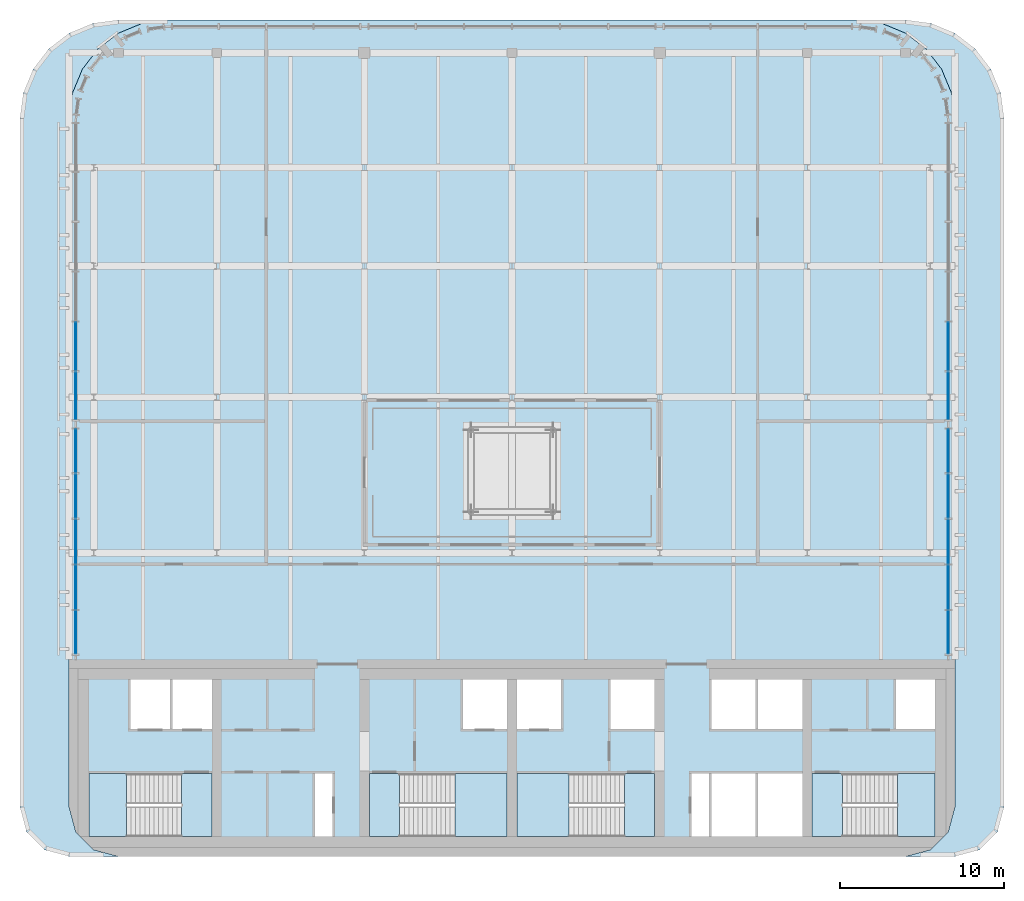
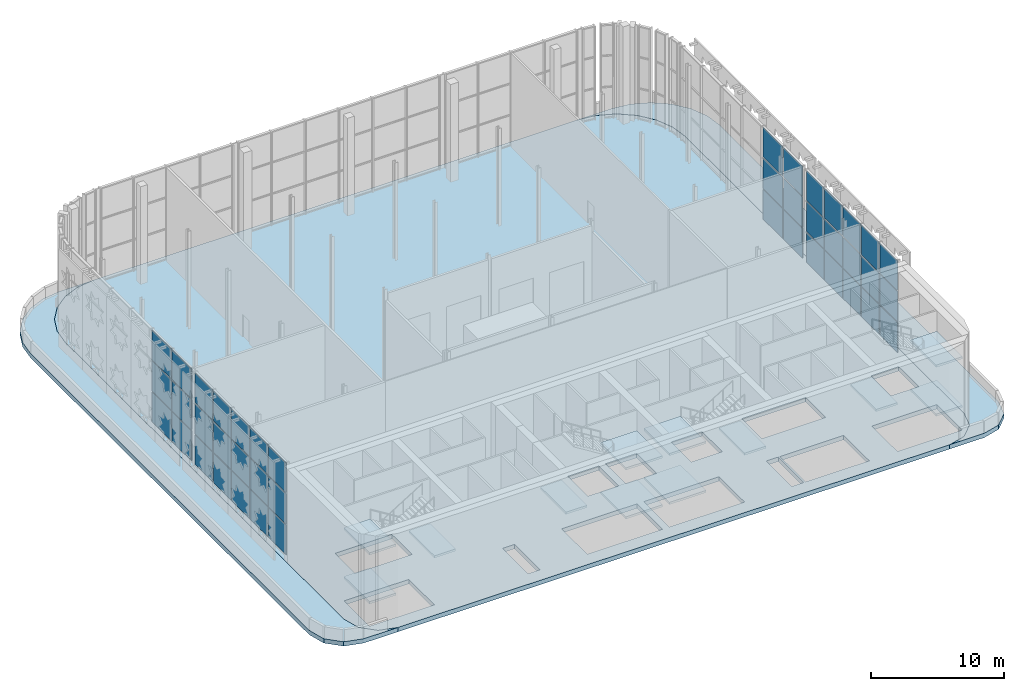
# One storey, part 15 of 26: 42 plates, 15 slabs, 8 elements without a shape of their own.
"""IFC4 building model written with IfcOpenShell, lengths in metres."""

from ifc_helpers import new_model, si_unit, direction, frame, origin, origin_2d, place, context, subcontext, project, spatial, polyline, rectangle, outline, extrude, material, layer, layer_set, type_object, element, aggregate, save


model = new_model("IFC4")

# Units and contexts
model_context = context("Model", 3, precision=1e-05, world=origin(), true_north=direction((0.0, 1.0)))
body_context = subcontext(model_context, "Body", "Model", "MODEL_VIEW")
ifc_project = project(units=[si_unit("LENGTHUNIT", "METRE"), si_unit("AREAUNIT", "SQUARE_METRE"), si_unit("VOLUMEUNIT", "CUBIC_METRE"), si_unit("PLANEANGLEUNIT", "RADIAN"), si_unit("MASSUNIT", "GRAM", prefix="KILO")], contexts=[model_context])

# Site, building, storey
site_placement = place(None, origin())
site = spatial("IfcSite", under=ifc_project, at=site_placement, CompositionType="ELEMENT")
building_placement = place(site_placement, origin())
building = spatial("IfcBuilding", under=site, at=building_placement, Name="Zellij Exchange Tower", CompositionType="ELEMENT")
storey_placement = place(building_placement, frame((0.0, 0.0, 296.5)))
storey = spatial("IfcBuildingStorey", under=building, at=storey_placement, Name="L70", CompositionType="ELEMENT", Elevation=296.5)

# Stair, slabs
ifc_material_1 = material(Name="Concrete C40/50", Category="concrete")
stair_type = type_object("IfcStairType", Name="CORE-ST exit stair 1850 wide", PredefinedType="HALF_TURN_STAIR", material=ifc_material_1)
stair_1_placement = place(storey_placement, origin())
stair_1 = element("IfcStair", 1, at=stair_1_placement, inside=storey, type_object=stair_type, Name="L70 exit stair ST1", PredefinedType="HALF_TURN_STAIR")
ifc_layer_1 = layer(ifc_material_1, 0.199951171875)
ifc_layer_set_1 = layer_set([ifc_layer_1], Name="Concrete C40/50")
slab_type_1 = type_object("IfcSlabType", Name="CORE-SL stair landing 200", PredefinedType="LANDING", material=ifc_layer_set_1)
slab_1_placement = place(storey_placement, frame((0.0, 0.0, 2.050048828125)))
slab_1 = element("IfcSlab", 2, at=slab_1_placement, type_object=slab_type_1, Name="ST1 landing 1", PredefinedType="LANDING", context=body_context, shape_type="SweptSolid", body=[
    extrude(outline(polyline([(-23.510009765625, -8.949951171875), (-25.800048828125, -8.949951171875), (-25.800048828125, -12.800048828125), (-23.510009765625, -12.800048828125), (-23.510009765625, -8.949951171875)])), origin(), (0.0, 0.0, 1.0), 0.199951171875),
])
slab_2_placement = place(storey_placement, frame((0.0, 0.0, 4.300048828125)))
slab_2 = element("IfcSlab", 3, at=slab_2_placement, type_object=slab_type_1, Name="ST1 landing 2", PredefinedType="LANDING", context=body_context, shape_type="SweptSolid", body=[
    extrude(outline(polyline([(-18.300048828125, -8.949951171875), (-20.14990234375, -8.949951171875), (-20.14990234375, -12.800048828125), (-18.300048828125, -12.800048828125), (-18.300048828125, -8.949951171875)])), origin(), (0.0, 0.0, 1.0), 0.199951171875),
])
slab_3_placement = place(storey_placement, frame((0.0, 0.0, 6.550048828125)))
slab_3 = element("IfcSlab", 4, at=slab_3_placement, type_object=slab_type_1, Name="ST1 landing 3", PredefinedType="LANDING", context=body_context, shape_type="SweptSolid", body=[
    extrude(outline(polyline([(-23.510009765625, -8.949951171875), (-25.800048828125, -8.949951171875), (-25.800048828125, -12.800048828125), (-23.510009765625, -12.800048828125), (-23.510009765625, -8.949951171875)])), origin(), (0.0, 0.0, 1.0), 0.199951171875),
])
aggregate(stair_1, [slab_1, slab_2, slab_3])

stair_2_placement = place(storey_placement, origin())
stair_2 = element("IfcStair", 5, at=stair_2_placement, inside=storey, type_object=stair_type, Name="L70 exit stair ST2", PredefinedType="HALF_TURN_STAIR")
slab_4_placement = place(storey_placement, frame((0.0, 0.0, 2.050048828125)))
slab_4 = element("IfcSlab", 6, at=slab_4_placement, type_object=slab_type_1, Name="ST2 landing 1", PredefinedType="LANDING", context=body_context, shape_type="SweptSolid", body=[
    extrude(outline(polyline([(-3.489990234375, -12.800048828125), (-0.300048828125, -12.800048828125), (-0.300048828125, -8.949951171875), (-3.489990234375, -8.949951171875), (-3.489990234375, -12.800048828125)])), origin(), (0.0, 0.0, 1.0), 0.199951171875),
])
slab_5_placement = place(storey_placement, frame((0.0, 0.0, 4.300048828125)))
slab_5 = element("IfcSlab", 7, at=slab_5_placement, type_object=slab_type_1, Name="ST2 landing 2", PredefinedType="LANDING", context=body_context, shape_type="SweptSolid", body=[
    extrude(outline(polyline([(-8.699951171875, -12.800048828125), (-6.85009765625, -12.800048828125), (-6.85009765625, -8.949951171875), (-8.699951171875, -8.949951171875), (-8.699951171875, -12.800048828125)])), origin(), (0.0, 0.0, 1.0), 0.199951171875),
])
slab_6_placement = place(storey_placement, frame((0.0, 0.0, 6.550048828125)))
slab_6 = element("IfcSlab", 8, at=slab_6_placement, type_object=slab_type_1, Name="ST2 landing 3", PredefinedType="LANDING", context=body_context, shape_type="SweptSolid", body=[
    extrude(outline(polyline([(-3.489990234375, -12.800048828125), (-0.300048828125, -12.800048828125), (-0.300048828125, -8.949951171875), (-3.489990234375, -8.949951171875), (-3.489990234375, -12.800048828125)])), origin(), (0.0, 0.0, 1.0), 0.199951171875),
])
aggregate(stair_2, [slab_4, slab_5, slab_6])

stair_3_placement = place(storey_placement, origin())
stair_3 = element("IfcStair", 9, at=stair_3_placement, inside=storey, type_object=stair_type, Name="L70 exit stair ST3", PredefinedType="HALF_TURN_STAIR")
slab_7_placement = place(storey_placement, frame((0.0, 0.0, 2.050048828125)))
slab_7 = element("IfcSlab", 10, at=slab_7_placement, type_object=slab_type_1, Name="ST3 landing 1", PredefinedType="LANDING", context=body_context, shape_type="SweptSolid", body=[
    extrude(outline(polyline([(3.489990234375, -8.949951171875), (0.300048828125, -8.949951171875), (0.300048828125, -12.800048828125), (3.489990234375, -12.800048828125), (3.489990234375, -8.949951171875)])), origin(), (0.0, 0.0, 1.0), 0.199951171875),
])
slab_8_placement = place(storey_placement, frame((0.0, 0.0, 4.300048828125)))
slab_8 = element("IfcSlab", 11, at=slab_8_placement, type_object=slab_type_1, Name="ST3 landing 2", PredefinedType="LANDING", context=body_context, shape_type="SweptSolid", body=[
    extrude(outline(polyline([(8.699951171875, -8.949951171875), (6.85009765625, -8.949951171875), (6.85009765625, -12.800048828125), (8.699951171875, -12.800048828125), (8.699951171875, -8.949951171875)])), origin(), (0.0, 0.0, 1.0), 0.199951171875),
])
slab_9_placement = place(storey_placement, frame((0.0, 0.0, 6.550048828125)))
slab_9 = element("IfcSlab", 12, at=slab_9_placement, type_object=slab_type_1, Name="ST3 landing 3", PredefinedType="LANDING", context=body_context, shape_type="SweptSolid", body=[
    extrude(outline(polyline([(3.489990234375, -8.949951171875), (0.300048828125, -8.949951171875), (0.300048828125, -12.800048828125), (3.489990234375, -12.800048828125), (3.489990234375, -8.949951171875)])), origin(), (0.0, 0.0, 1.0), 0.199951171875),
])
aggregate(stair_3, [slab_7, slab_8, slab_9])

stair_4_placement = place(storey_placement, origin())
stair_4 = element("IfcStair", 13, at=stair_4_placement, inside=storey, type_object=stair_type, Name="L70 exit stair ST4", PredefinedType="HALF_TURN_STAIR")
slab_10_placement = place(storey_placement, frame((0.0, 0.0, 2.050048828125)))
slab_10 = element("IfcSlab", 14, at=slab_10_placement, type_object=slab_type_1, Name="ST4 landing 1", PredefinedType="LANDING", context=body_context, shape_type="SweptSolid", body=[
    extrude(outline(polyline([(23.510009765625, -12.800048828125), (25.800048828125, -12.800048828125), (25.800048828125, -8.949951171875), (23.510009765625, -8.949951171875), (23.510009765625, -12.800048828125)])), origin(), (0.0, 0.0, 1.0), 0.199951171875),
])
slab_11_placement = place(storey_placement, frame((0.0, 0.0, 4.300048828125)))
slab_11 = element("IfcSlab", 15, at=slab_11_placement, type_object=slab_type_1, Name="ST4 landing 2", PredefinedType="LANDING", context=body_context, shape_type="SweptSolid", body=[
    extrude(outline(polyline([(18.300048828125, -12.800048828125), (20.14990234375, -12.800048828125), (20.14990234375, -8.949951171875), (18.300048828125, -8.949951171875), (18.300048828125, -12.800048828125)])), origin(), (0.0, 0.0, 1.0), 0.199951171875),
])
slab_12_placement = place(storey_placement, frame((0.0, 0.0, 6.550048828125)))
slab_12 = element("IfcSlab", 16, at=slab_12_placement, type_object=slab_type_1, Name="ST4 landing 3", PredefinedType="LANDING", context=body_context, shape_type="SweptSolid", body=[
    extrude(outline(polyline([(23.510009765625, -12.800048828125), (25.800048828125, -12.800048828125), (25.800048828125, -8.949951171875), (23.510009765625, -8.949951171875), (23.510009765625, -12.800048828125)])), origin(), (0.0, 0.0, 1.0), 0.199951171875),
])
aggregate(stair_4, [slab_10, slab_11, slab_12])

# Curtain wall, plates
ifc_material_2 = material(Name="Bronze anodised aluminium frame, bronze laminated glass", Category="aluminium")
curtain_wall_type = type_object("IfcCurtainWallType", Name="ENV-CW5 Damper-gallery glazing", PredefinedType="NOTDEFINED", material=ifc_material_2)
curtain_wall_1_placement = place(storey_placement, origin())
curtain_wall_1 = element("IfcCurtainWall", 17, at=curtain_wall_1_placement, inside=storey, type_object=curtain_wall_type, Name="cw.L70.04a", PredefinedType="NOTDEFINED")
ifc_material_3 = material(Name="Laminated glass, bronze tint", Category="glass")
ifc_layer_2 = layer(ifc_material_3, 0.052001953125)
ifc_layer_set_2 = layer_set([ifc_layer_2], Name="Laminated glass, bronze tint")
plate_type = type_object("IfcPlateType", Name="ENV-CW5P Glazed panel 52", PredefinedType="CURTAIN_PANEL", material=ifc_layer_set_2)
plate_1_placement = place(storey_placement, frame((26.60009765625, -0.335693359375, 0.099853515625), z_axis=(0.0, 0.0, 1.0), x_axis=(0.0, 1.0, 0.0)))
plate_1 = element("IfcPlate", 18, at=plate_1_placement, type_object=plate_type, Name="CW5 panel 1.1", PredefinedType="CURTAIN_PANEL", context=body_context, shape_type="SweptSolid", body=[
    extrude(rectangle(XDim=2.62841796875, YDim=0.052001953125, at=origin_2d()), origin(), (0.0, 0.0, 1.0), 2.7333984375),
])
plate_2_placement = place(storey_placement, frame((26.60009765625, -0.335693359375, 2.93310546875), z_axis=(0.0, 0.0, 1.0), x_axis=(0.0, 1.0, 0.0)))
plate_2 = element("IfcPlate", 19, at=plate_2_placement, type_object=plate_type, Name="CW5 panel 1.2", PredefinedType="CURTAIN_PANEL", context=body_context, shape_type="SweptSolid", body=[
    extrude(rectangle(XDim=2.62841796875, YDim=0.052001953125, at=origin_2d()), origin(), (0.0, 0.0, 1.0), 2.783447265625),
])
plate_3_placement = place(storey_placement, frame((26.60009765625, -0.335693359375, 5.816650390625), z_axis=(0.0, 0.0, 1.0), x_axis=(0.0, 1.0, 0.0)))
plate_3 = element("IfcPlate", 20, at=plate_3_placement, type_object=plate_type, Name="CW5 panel 1.3", PredefinedType="CURTAIN_PANEL", context=body_context, shape_type="SweptSolid", body=[
    extrude(rectangle(XDim=2.62841796875, YDim=0.052001953125, at=origin_2d()), origin(), (0.0, 0.0, 1.0), 2.7333984375),
])
plate_4_placement = place(storey_placement, frame((26.60009765625, 2.417724609375, 0.099853515625), z_axis=(0.0, 0.0, 1.0), x_axis=(0.0, 1.0, 0.0)))
plate_4 = element("IfcPlate", 21, at=plate_4_placement, type_object=plate_type, Name="CW5 panel 2.1", PredefinedType="CURTAIN_PANEL", context=body_context, shape_type="SweptSolid", body=[
    extrude(rectangle(XDim=2.678466796875, YDim=0.052001953125, at=origin_2d()), origin(), (0.0, 0.0, 1.0), 2.7333984375),
])
plate_5_placement = place(storey_placement, frame((26.60009765625, 2.417724609375, 2.93310546875), z_axis=(0.0, 0.0, 1.0), x_axis=(0.0, 1.0, 0.0)))
plate_5 = element("IfcPlate", 22, at=plate_5_placement, type_object=plate_type, Name="CW5 panel 2.2", PredefinedType="CURTAIN_PANEL", context=body_context, shape_type="SweptSolid", body=[
    extrude(rectangle(XDim=2.678466796875, YDim=0.052001953125, at=origin_2d()), origin(), (0.0, 0.0, 1.0), 2.783447265625),
])
plate_6_placement = place(storey_placement, frame((26.60009765625, 2.417724609375, 5.816650390625), z_axis=(0.0, 0.0, 1.0), x_axis=(0.0, 1.0, 0.0)))
plate_6 = element("IfcPlate", 23, at=plate_6_placement, type_object=plate_type, Name="CW5 panel 2.3", PredefinedType="CURTAIN_PANEL", context=body_context, shape_type="SweptSolid", body=[
    extrude(rectangle(XDim=2.678466796875, YDim=0.052001953125, at=origin_2d()), origin(), (0.0, 0.0, 1.0), 2.7333984375),
])
plate_7_placement = place(storey_placement, frame((26.60009765625, 5.196044921875, 0.099853515625), z_axis=(0.0, 0.0, 1.0), x_axis=(0.0, 1.0, 0.0)))
plate_7 = element("IfcPlate", 24, at=plate_7_placement, type_object=plate_type, Name="CW5 panel 3.1", PredefinedType="CURTAIN_PANEL", context=body_context, shape_type="SweptSolid", body=[
    extrude(rectangle(XDim=2.678466796875, YDim=0.052001953125, at=origin_2d()), origin(), (0.0, 0.0, 1.0), 2.7333984375),
])
plate_8_placement = place(storey_placement, frame((26.60009765625, 5.196044921875, 2.93310546875), z_axis=(0.0, 0.0, 1.0), x_axis=(0.0, 1.0, 0.0)))
plate_8 = element("IfcPlate", 25, at=plate_8_placement, type_object=plate_type, Name="CW5 panel 3.2", PredefinedType="CURTAIN_PANEL", context=body_context, shape_type="SweptSolid", body=[
    extrude(rectangle(XDim=2.678466796875, YDim=0.052001953125, at=origin_2d()), origin(), (0.0, 0.0, 1.0), 2.783447265625),
])
plate_9_placement = place(storey_placement, frame((26.60009765625, 5.196044921875, 5.816650390625), z_axis=(0.0, 0.0, 1.0), x_axis=(0.0, 1.0, 0.0)))
plate_9 = element("IfcPlate", 26, at=plate_9_placement, type_object=plate_type, Name="CW5 panel 3.3", PredefinedType="CURTAIN_PANEL", context=body_context, shape_type="SweptSolid", body=[
    extrude(rectangle(XDim=2.678466796875, YDim=0.052001953125, at=origin_2d()), origin(), (0.0, 0.0, 1.0), 2.7333984375),
])
plate_10_placement = place(storey_placement, frame((26.60009765625, 7.974609375, 0.099853515625), z_axis=(0.0, 0.0, 1.0), x_axis=(0.0, 1.0, 0.0)))
plate_10 = element("IfcPlate", 27, at=plate_10_placement, type_object=plate_type, Name="CW5 panel 4.1", PredefinedType="CURTAIN_PANEL", context=body_context, shape_type="SweptSolid", body=[
    extrude(rectangle(XDim=2.678466796875, YDim=0.052001953125, at=origin_2d()), origin(), (0.0, 0.0, 1.0), 2.7333984375),
])
plate_11_placement = place(storey_placement, frame((26.60009765625, 7.974609375, 2.93310546875), z_axis=(0.0, 0.0, 1.0), x_axis=(0.0, 1.0, 0.0)))
plate_11 = element("IfcPlate", 28, at=plate_11_placement, type_object=plate_type, Name="CW5 panel 4.2", PredefinedType="CURTAIN_PANEL", context=body_context, shape_type="SweptSolid", body=[
    extrude(rectangle(XDim=2.678466796875, YDim=0.052001953125, at=origin_2d()), origin(), (0.0, 0.0, 1.0), 2.783447265625),
])
plate_12_placement = place(storey_placement, frame((26.60009765625, 7.974609375, 5.816650390625), z_axis=(0.0, 0.0, 1.0), x_axis=(0.0, 1.0, 0.0)))
plate_12 = element("IfcPlate", 29, at=plate_12_placement, type_object=plate_type, Name="CW5 panel 4.3", PredefinedType="CURTAIN_PANEL", context=body_context, shape_type="SweptSolid", body=[
    extrude(rectangle(XDim=2.678466796875, YDim=0.052001953125, at=origin_2d()), origin(), (0.0, 0.0, 1.0), 2.7333984375),
])
plate_13_placement = place(storey_placement, frame((26.60009765625, 10.72802734375, 0.099853515625), z_axis=(0.0, 0.0, 1.0), x_axis=(0.0, 1.0, 0.0)))
plate_13 = element("IfcPlate", 30, at=plate_13_placement, type_object=plate_type, Name="CW5 panel 5.1", PredefinedType="CURTAIN_PANEL", context=body_context, shape_type="SweptSolid", body=[
    extrude(rectangle(XDim=2.62841796875, YDim=0.052001953125, at=origin_2d()), origin(), (0.0, 0.0, 1.0), 2.7333984375),
])
plate_14_placement = place(storey_placement, frame((26.60009765625, 10.72802734375, 2.93310546875), z_axis=(0.0, 0.0, 1.0), x_axis=(0.0, 1.0, 0.0)))
plate_14 = element("IfcPlate", 31, at=plate_14_placement, type_object=plate_type, Name="CW5 panel 5.2", PredefinedType="CURTAIN_PANEL", context=body_context, shape_type="SweptSolid", body=[
    extrude(rectangle(XDim=2.62841796875, YDim=0.052001953125, at=origin_2d()), origin(), (0.0, 0.0, 1.0), 2.783447265625),
])
plate_15_placement = place(storey_placement, frame((26.60009765625, 10.72802734375, 5.816650390625), z_axis=(0.0, 0.0, 1.0), x_axis=(0.0, 1.0, 0.0)))
plate_15 = element("IfcPlate", 32, at=plate_15_placement, type_object=plate_type, Name="CW5 panel 5.3", PredefinedType="CURTAIN_PANEL", context=body_context, shape_type="SweptSolid", body=[
    extrude(rectangle(XDim=2.62841796875, YDim=0.052001953125, at=origin_2d()), origin(), (0.0, 0.0, 1.0), 2.7333984375),
])
aggregate(curtain_wall_1, [plate_1, plate_2, plate_3, plate_4, plate_5, plate_6, plate_7, plate_8, plate_9, plate_10, plate_11, plate_12, plate_13, plate_14, plate_15])

curtain_wall_2_placement = place(storey_placement, origin())
curtain_wall_2 = element("IfcCurtainWall", 33, at=curtain_wall_2_placement, inside=storey, type_object=curtain_wall_type, Name="cw.L70.04b", PredefinedType="NOTDEFINED")
plate_16_placement = place(storey_placement, frame((26.60009765625, 14.08642578125, 0.099853515625), z_axis=(0.0, 0.0, 1.0), x_axis=(0.0, 1.0, 0.0)))
plate_16 = element("IfcPlate", 34, at=plate_16_placement, type_object=plate_type, Name="CW5 panel 1.1", PredefinedType="CURTAIN_PANEL", context=body_context, shape_type="SweptSolid", body=[
    extrude(rectangle(XDim=2.888671875, YDim=0.052001953125, at=origin_2d()), origin(), (0.0, 0.0, 1.0), 2.7333984375),
])
plate_17_placement = place(storey_placement, frame((26.60009765625, 14.08642578125, 2.93310546875), z_axis=(0.0, 0.0, 1.0), x_axis=(0.0, 1.0, 0.0)))
plate_17 = element("IfcPlate", 35, at=plate_17_placement, type_object=plate_type, Name="CW5 panel 1.2", PredefinedType="CURTAIN_PANEL", context=body_context, shape_type="SweptSolid", body=[
    extrude(rectangle(XDim=2.888671875, YDim=0.052001953125, at=origin_2d()), origin(), (0.0, 0.0, 1.0), 2.783447265625),
])
plate_18_placement = place(storey_placement, frame((26.60009765625, 14.08642578125, 5.816650390625), z_axis=(0.0, 0.0, 1.0), x_axis=(0.0, 1.0, 0.0)))
plate_18 = element("IfcPlate", 36, at=plate_18_placement, type_object=plate_type, Name="CW5 panel 1.3", PredefinedType="CURTAIN_PANEL", context=body_context, shape_type="SweptSolid", body=[
    extrude(rectangle(XDim=2.888671875, YDim=0.052001953125, at=origin_2d()), origin(), (0.0, 0.0, 1.0), 2.7333984375),
])
plate_19_placement = place(storey_placement, frame((26.60009765625, 17.10009765625, 0.099853515625), z_axis=(0.0, 0.0, 1.0), x_axis=(0.0, 1.0, 0.0)))
plate_19 = element("IfcPlate", 37, at=plate_19_placement, type_object=plate_type, Name="CW5 panel 2.1", PredefinedType="CURTAIN_PANEL", context=body_context, shape_type="SweptSolid", body=[
    extrude(rectangle(XDim=2.938720703125, YDim=0.052001953125, at=origin_2d()), origin(), (0.0, 0.0, 1.0), 2.7333984375),
])
plate_20_placement = place(storey_placement, frame((26.60009765625, 17.10009765625, 2.93310546875), z_axis=(0.0, 0.0, 1.0), x_axis=(0.0, 1.0, 0.0)))
plate_20 = element("IfcPlate", 38, at=plate_20_placement, type_object=plate_type, Name="CW5 panel 2.2", PredefinedType="CURTAIN_PANEL", context=body_context, shape_type="SweptSolid", body=[
    extrude(rectangle(XDim=2.938720703125, YDim=0.052001953125, at=origin_2d()), origin(), (0.0, 0.0, 1.0), 2.783447265625),
])
plate_21_placement = place(storey_placement, frame((26.60009765625, 17.10009765625, 5.816650390625), z_axis=(0.0, 0.0, 1.0), x_axis=(0.0, 1.0, 0.0)))
plate_21 = element("IfcPlate", 39, at=plate_21_placement, type_object=plate_type, Name="CW5 panel 2.3", PredefinedType="CURTAIN_PANEL", context=body_context, shape_type="SweptSolid", body=[
    extrude(rectangle(XDim=2.938720703125, YDim=0.052001953125, at=origin_2d()), origin(), (0.0, 0.0, 1.0), 2.7333984375),
])
aggregate(curtain_wall_2, [plate_16, plate_17, plate_18, plate_19, plate_20, plate_21])

curtain_wall_3_placement = place(storey_placement, origin())
curtain_wall_3 = element("IfcCurtainWall", 40, at=curtain_wall_3_placement, inside=storey, type_object=curtain_wall_type, Name="cw.L70.18a", PredefinedType="NOTDEFINED")
plate_22_placement = place(storey_placement, frame((-26.60009765625, 17.10009765625, 0.099853515625), z_axis=(0.0, 0.0, 1.0), x_axis=(0.0, -1.0, 0.0)))
plate_22 = element("IfcPlate", 41, at=plate_22_placement, type_object=plate_type, Name="CW5 panel 5.1", PredefinedType="CURTAIN_PANEL", context=body_context, shape_type="SweptSolid", body=[
    extrude(rectangle(XDim=2.938720703125, YDim=0.052001953125, at=origin_2d()), origin(), (0.0, 0.0, 1.0), 2.7333984375),
])
plate_23_placement = place(storey_placement, frame((-26.60009765625, 17.10009765625, 2.93310546875), z_axis=(0.0, 0.0, 1.0), x_axis=(0.0, -1.0, 0.0)))
plate_23 = element("IfcPlate", 42, at=plate_23_placement, type_object=plate_type, Name="CW5 panel 5.2", PredefinedType="CURTAIN_PANEL", context=body_context, shape_type="SweptSolid", body=[
    extrude(rectangle(XDim=2.938720703125, YDim=0.052001953125, at=origin_2d()), origin(), (0.0, 0.0, 1.0), 2.783447265625),
])
plate_24_placement = place(storey_placement, frame((-26.60009765625, 17.10009765625, 5.816650390625), z_axis=(0.0, 0.0, 1.0), x_axis=(0.0, -1.0, 0.0)))
plate_24 = element("IfcPlate", 43, at=plate_24_placement, type_object=plate_type, Name="CW5 panel 5.3", PredefinedType="CURTAIN_PANEL", context=body_context, shape_type="SweptSolid", body=[
    extrude(rectangle(XDim=2.938720703125, YDim=0.052001953125, at=origin_2d()), origin(), (0.0, 0.0, 1.0), 2.7333984375),
])
plate_25_placement = place(storey_placement, frame((-26.60009765625, 14.08642578125, 0.099853515625), z_axis=(0.0, 0.0, 1.0), x_axis=(0.0, -1.0, 0.0)))
plate_25 = element("IfcPlate", 44, at=plate_25_placement, type_object=plate_type, Name="CW5 panel 6.1", PredefinedType="CURTAIN_PANEL", context=body_context, shape_type="SweptSolid", body=[
    extrude(rectangle(XDim=2.888671875, YDim=0.052001953125, at=origin_2d()), origin(), (0.0, 0.0, 1.0), 2.7333984375),
])
plate_26_placement = place(storey_placement, frame((-26.60009765625, 14.08642578125, 2.93310546875), z_axis=(0.0, 0.0, 1.0), x_axis=(0.0, -1.0, 0.0)))
plate_26 = element("IfcPlate", 45, at=plate_26_placement, type_object=plate_type, Name="CW5 panel 6.2", PredefinedType="CURTAIN_PANEL", context=body_context, shape_type="SweptSolid", body=[
    extrude(rectangle(XDim=2.888671875, YDim=0.052001953125, at=origin_2d()), origin(), (0.0, 0.0, 1.0), 2.783447265625),
])
plate_27_placement = place(storey_placement, frame((-26.60009765625, 14.08642578125, 5.816650390625), z_axis=(0.0, 0.0, 1.0), x_axis=(0.0, -1.0, 0.0)))
plate_27 = element("IfcPlate", 46, at=plate_27_placement, type_object=plate_type, Name="CW5 panel 6.3", PredefinedType="CURTAIN_PANEL", context=body_context, shape_type="SweptSolid", body=[
    extrude(rectangle(XDim=2.888671875, YDim=0.052001953125, at=origin_2d()), origin(), (0.0, 0.0, 1.0), 2.7333984375),
])
aggregate(curtain_wall_3, [plate_22, plate_23, plate_24, plate_25, plate_26, plate_27])

curtain_wall_4_placement = place(storey_placement, origin())
curtain_wall_4 = element("IfcCurtainWall", 47, at=curtain_wall_4_placement, inside=storey, type_object=curtain_wall_type, Name="cw.L70.18b", PredefinedType="NOTDEFINED")
plate_28_placement = place(storey_placement, frame((-26.60009765625, 10.72802734375, 0.099853515625), z_axis=(0.0, 0.0, 1.0), x_axis=(0.0, -1.0, 0.0)))
plate_28 = element("IfcPlate", 48, at=plate_28_placement, type_object=plate_type, Name="CW5 panel 1.1", PredefinedType="CURTAIN_PANEL", context=body_context, shape_type="SweptSolid", body=[
    extrude(rectangle(XDim=2.62841796875, YDim=0.052001953125, at=origin_2d()), origin(), (0.0, 0.0, 1.0), 2.7333984375),
])
plate_29_placement = place(storey_placement, frame((-26.60009765625, 10.72802734375, 2.93310546875), z_axis=(0.0, 0.0, 1.0), x_axis=(0.0, -1.0, 0.0)))
plate_29 = element("IfcPlate", 49, at=plate_29_placement, type_object=plate_type, Name="CW5 panel 1.2", PredefinedType="CURTAIN_PANEL", context=body_context, shape_type="SweptSolid", body=[
    extrude(rectangle(XDim=2.62841796875, YDim=0.052001953125, at=origin_2d()), origin(), (0.0, 0.0, 1.0), 2.783447265625),
])
plate_30_placement = place(storey_placement, frame((-26.60009765625, 10.72802734375, 5.816650390625), z_axis=(0.0, 0.0, 1.0), x_axis=(0.0, -1.0, 0.0)))
plate_30 = element("IfcPlate", 50, at=plate_30_placement, type_object=plate_type, Name="CW5 panel 1.3", PredefinedType="CURTAIN_PANEL", context=body_context, shape_type="SweptSolid", body=[
    extrude(rectangle(XDim=2.62841796875, YDim=0.052001953125, at=origin_2d()), origin(), (0.0, 0.0, 1.0), 2.7333984375),
])
plate_31_placement = place(storey_placement, frame((-26.60009765625, 7.974609375, 0.099853515625), z_axis=(0.0, 0.0, 1.0), x_axis=(0.0, -1.0, 0.0)))
plate_31 = element("IfcPlate", 51, at=plate_31_placement, type_object=plate_type, Name="CW5 panel 2.1", PredefinedType="CURTAIN_PANEL", context=body_context, shape_type="SweptSolid", body=[
    extrude(rectangle(XDim=2.678466796875, YDim=0.052001953125, at=origin_2d()), origin(), (0.0, 0.0, 1.0), 2.7333984375),
])
plate_32_placement = place(storey_placement, frame((-26.60009765625, 7.974609375, 2.93310546875), z_axis=(0.0, 0.0, 1.0), x_axis=(0.0, -1.0, 0.0)))
plate_32 = element("IfcPlate", 52, at=plate_32_placement, type_object=plate_type, Name="CW5 panel 2.2", PredefinedType="CURTAIN_PANEL", context=body_context, shape_type="SweptSolid", body=[
    extrude(rectangle(XDim=2.678466796875, YDim=0.052001953125, at=origin_2d()), origin(), (0.0, 0.0, 1.0), 2.783447265625),
])
plate_33_placement = place(storey_placement, frame((-26.60009765625, 7.974609375, 5.816650390625), z_axis=(0.0, 0.0, 1.0), x_axis=(0.0, -1.0, 0.0)))
plate_33 = element("IfcPlate", 53, at=plate_33_placement, type_object=plate_type, Name="CW5 panel 2.3", PredefinedType="CURTAIN_PANEL", context=body_context, shape_type="SweptSolid", body=[
    extrude(rectangle(XDim=2.678466796875, YDim=0.052001953125, at=origin_2d()), origin(), (0.0, 0.0, 1.0), 2.7333984375),
])
plate_34_placement = place(storey_placement, frame((-26.60009765625, 5.196044921875, 0.099853515625), z_axis=(0.0, 0.0, 1.0), x_axis=(0.0, -1.0, 0.0)))
plate_34 = element("IfcPlate", 54, at=plate_34_placement, type_object=plate_type, Name="CW5 panel 3.1", PredefinedType="CURTAIN_PANEL", context=body_context, shape_type="SweptSolid", body=[
    extrude(rectangle(XDim=2.678466796875, YDim=0.052001953125, at=origin_2d()), origin(), (0.0, 0.0, 1.0), 2.7333984375),
])
plate_35_placement = place(storey_placement, frame((-26.60009765625, 5.196044921875, 2.93310546875), z_axis=(0.0, 0.0, 1.0), x_axis=(0.0, -1.0, 0.0)))
plate_35 = element("IfcPlate", 55, at=plate_35_placement, type_object=plate_type, Name="CW5 panel 3.2", PredefinedType="CURTAIN_PANEL", context=body_context, shape_type="SweptSolid", body=[
    extrude(rectangle(XDim=2.678466796875, YDim=0.052001953125, at=origin_2d()), origin(), (0.0, 0.0, 1.0), 2.783447265625),
])
plate_36_placement = place(storey_placement, frame((-26.60009765625, 5.196044921875, 5.816650390625), z_axis=(0.0, 0.0, 1.0), x_axis=(0.0, -1.0, 0.0)))
plate_36 = element("IfcPlate", 56, at=plate_36_placement, type_object=plate_type, Name="CW5 panel 3.3", PredefinedType="CURTAIN_PANEL", context=body_context, shape_type="SweptSolid", body=[
    extrude(rectangle(XDim=2.678466796875, YDim=0.052001953125, at=origin_2d()), origin(), (0.0, 0.0, 1.0), 2.7333984375),
])
plate_37_placement = place(storey_placement, frame((-26.60009765625, 2.417724609375, 0.099853515625), z_axis=(0.0, 0.0, 1.0), x_axis=(0.0, -1.0, 0.0)))
plate_37 = element("IfcPlate", 57, at=plate_37_placement, type_object=plate_type, Name="CW5 panel 4.1", PredefinedType="CURTAIN_PANEL", context=body_context, shape_type="SweptSolid", body=[
    extrude(rectangle(XDim=2.678466796875, YDim=0.052001953125, at=origin_2d()), origin(), (0.0, 0.0, 1.0), 2.7333984375),
])
plate_38_placement = place(storey_placement, frame((-26.60009765625, 2.417724609375, 2.93310546875), z_axis=(0.0, 0.0, 1.0), x_axis=(0.0, -1.0, 0.0)))
plate_38 = element("IfcPlate", 58, at=plate_38_placement, type_object=plate_type, Name="CW5 panel 4.2", PredefinedType="CURTAIN_PANEL", context=body_context, shape_type="SweptSolid", body=[
    extrude(rectangle(XDim=2.678466796875, YDim=0.052001953125, at=origin_2d()), origin(), (0.0, 0.0, 1.0), 2.783447265625),
])
plate_39_placement = place(storey_placement, frame((-26.60009765625, 2.417724609375, 5.816650390625), z_axis=(0.0, 0.0, 1.0), x_axis=(0.0, -1.0, 0.0)))
plate_39 = element("IfcPlate", 59, at=plate_39_placement, type_object=plate_type, Name="CW5 panel 4.3", PredefinedType="CURTAIN_PANEL", context=body_context, shape_type="SweptSolid", body=[
    extrude(rectangle(XDim=2.678466796875, YDim=0.052001953125, at=origin_2d()), origin(), (0.0, 0.0, 1.0), 2.7333984375),
])
plate_40_placement = place(storey_placement, frame((-26.60009765625, -0.335693359375, 0.099853515625), z_axis=(0.0, 0.0, 1.0), x_axis=(0.0, -1.0, 0.0)))
plate_40 = element("IfcPlate", 60, at=plate_40_placement, type_object=plate_type, Name="CW5 panel 5.1", PredefinedType="CURTAIN_PANEL", context=body_context, shape_type="SweptSolid", body=[
    extrude(rectangle(XDim=2.62841796875, YDim=0.052001953125, at=origin_2d()), origin(), (0.0, 0.0, 1.0), 2.7333984375),
])
plate_41_placement = place(storey_placement, frame((-26.60009765625, -0.335693359375, 2.93310546875), z_axis=(0.0, 0.0, 1.0), x_axis=(0.0, -1.0, 0.0)))
plate_41 = element("IfcPlate", 61, at=plate_41_placement, type_object=plate_type, Name="CW5 panel 5.2", PredefinedType="CURTAIN_PANEL", context=body_context, shape_type="SweptSolid", body=[
    extrude(rectangle(XDim=2.62841796875, YDim=0.052001953125, at=origin_2d()), origin(), (0.0, 0.0, 1.0), 2.783447265625),
])
plate_42_placement = place(storey_placement, frame((-26.60009765625, -0.335693359375, 5.816650390625), z_axis=(0.0, 0.0, 1.0), x_axis=(0.0, -1.0, 0.0)))
plate_42 = element("IfcPlate", 62, at=plate_42_placement, type_object=plate_type, Name="CW5 panel 5.3", PredefinedType="CURTAIN_PANEL", context=body_context, shape_type="SweptSolid", body=[
    extrude(rectangle(XDim=2.62841796875, YDim=0.052001953125, at=origin_2d()), origin(), (0.0, 0.0, 1.0), 2.7333984375),
])
aggregate(curtain_wall_4, [plate_28, plate_29, plate_30, plate_31, plate_32, plate_33, plate_34, plate_35, plate_36, plate_37, plate_38, plate_39, plate_40, plate_41, plate_42])

# Slabs
ifc_layer_3 = layer(ifc_material_1, 0.39990234375)
ifc_layer_set_3 = layer_set([ifc_layer_3], Name="Concrete C40/50")
slab_type_2 = type_object("IfcSlabType", Name="ENV-LEDGE SLAB 400 C40/50", PredefinedType="ROOF", material=ifc_layer_set_3)
slab_13_placement = place(storey_placement, frame((0.0, 0.0, -0.39990234375)))
element("IfcSlab", 63, at=slab_13_placement, inside=storey, type_object=slab_type_2, Name="Ledge slab L70", PredefinedType="ROOF", context=body_context, shape_type="SweptSolid", body=[
    extrude(outline(polyline([(-24.0, -14.0), (-25.5, -13.59814453125), (-26.59814453125, -12.5), (-27.0, -11.0), (-27.0, 31.0), (-26.795654296875, 32.552978515625), (-26.1962890625, 34.0), (-25.24267578125, 35.24267578125), (-24.0, 36.1962890625), (-22.552978515625, 36.795654296875), (-21.0, 37.0), (-24.0, 37.0), (-25.552978515625, 36.795654296875), (-27.0, 36.1962890625), (-28.24267578125, 35.24267578125), (-29.1962890625, 34.0), (-29.795654296875, 32.552978515625), (-30.0, 31.0), (-30.0, -11.0), (-29.59814453125, -12.5), (-28.5, -13.59814453125), (-27.0, -14.0), (-24.0, -14.0)])), origin(), (0.0, 0.0, 1.0), 0.39990234375),
])
slab_14_placement = place(storey_placement, frame((0.0, 0.0, -0.39990234375)))
element("IfcSlab", 64, at=slab_14_placement, inside=storey, type_object=slab_type_2, Name="Ledge slab L70", PredefinedType="ROOF", context=body_context, shape_type="SweptSolid", body=[
    extrude(outline(polyline([(26.59814453125, -12.5), (25.5, -13.59814453125), (24.0, -14.0), (27.0, -14.0), (28.5, -13.59814453125), (29.59814453125, -12.5), (30.0, -11.0), (30.0, 31.0), (29.795654296875, 32.552978515625), (29.1962890625, 34.0), (28.24267578125, 35.24267578125), (27.0, 36.1962890625), (25.552978515625, 36.795654296875), (24.0, 37.0), (21.0, 37.0), (22.552978515625, 36.795654296875), (24.0, 36.1962890625), (25.24267578125, 35.24267578125), (26.1962890625, 34.0), (26.795654296875, 32.552978515625), (27.0, 31.0), (27.0, -11.0), (26.59814453125, -12.5)])), origin(), (0.0, 0.0, 1.0), 0.39990234375),
])
ifc_layer_4 = layer(ifc_material_1, 0.39990234375)
ifc_layer_set_4 = layer_set([ifc_layer_4], Name="Concrete C40/50")
slab_type_3 = type_object("IfcSlabType", Name="STR-FLOOR SLAB 400 C40/50", PredefinedType="FLOOR", material=ifc_layer_set_4)
slab_15_placement = place(storey_placement, frame((0.0, 0.0, -0.400146484375)))
element("IfcSlab", 65, at=slab_15_placement, inside=storey, type_object=slab_type_3, Name="Floor L70", PredefinedType="FLOOR", context=body_context, shape_type="SweptSolid", body=[
    extrude(outline(polyline([(-24.0, -14.0), (-25.5, -13.59814453125), (-26.59814453125, -12.5), (-27.0, -11.0), (-27.0, 31.0), (-26.795654296875, 32.552978515625), (-26.1962890625, 34.0), (-25.24267578125, 35.24267578125), (-24.0, 36.1962890625), (-22.552978515625, 36.795654296875), (-21.0, 37.0), (21.0, 37.0), (22.552978515625, 36.795654296875), (24.0, 36.1962890625), (25.24267578125, 35.24267578125), (26.1962890625, 34.0), (26.795654296875, 32.552978515625), (27.0, 31.0), (27.0, -11.0), (26.59814453125, -12.5), (25.5, -13.59814453125), (24.0, -14.0), (-24.0, -14.0)]), holes=[polyline([(-25.800048828125, -8.949951171875), (-25.800048828125, -12.800048828125), (-20.153076171875, -12.800048828125), (-20.153076171875, -8.949951171875), (-25.800048828125, -8.949951171875)]), polyline([(-10.949951171875, -8.949951171875), (-12.0, -8.949951171875), (-12.0, -12.800048828125), (-10.949951171875, -12.800048828125), (-10.949951171875, -8.949951171875)]), polyline([(-0.300048828125, -8.949951171875), (-6.846923828125, -8.949951171875), (-6.846923828125, -12.800048828125), (-0.300048828125, -12.800048828125), (-0.300048828125, -8.949951171875)]), polyline([(0.300048828125, -8.949951171875), (0.300048828125, -12.800048828125), (6.846923828125, -12.800048828125), (6.846923828125, -8.949951171875), (0.300048828125, -8.949951171875)]), polyline([(-18.300048828125, -3.199951171875), (-23.25, -3.199951171875), (-23.25, -6.22509765625), (-18.300048828125, -6.22509765625), (-18.300048828125, -3.199951171875)]), polyline([(-0.300048828125, -3.199951171875), (-3.0, -3.199951171875), (-3.0, -6.22509765625), (-0.300048828125, -6.22509765625), (-0.300048828125, -3.199951171875)]), polyline([(0.300048828125, -3.199951171875), (0.300048828125, -6.22509765625), (3.0, -6.22509765625), (3.0, -3.199951171875), (0.300048828125, -3.199951171875)]), polyline([(12.0, -8.949951171875), (10.949951171875, -8.949951171875), (10.949951171875, -12.800048828125), (12.0, -12.800048828125), (12.0, -8.949951171875)]), polyline([(17.699951171875, -8.949951171875), (12.14990234375, -8.949951171875), (12.14990234375, -12.800048828125), (17.699951171875, -12.800048828125), (17.699951171875, -8.949951171875)]), polyline([(25.800048828125, -8.949951171875), (20.153076171875, -8.949951171875), (20.153076171875, -12.800048828125), (25.800048828125, -12.800048828125), (25.800048828125, -8.949951171875)]), polyline([(8.699951171875, -3.199951171875), (6.0, -3.199951171875), (6.0, -6.22509765625), (8.699951171875, -6.22509765625), (8.699951171875, -3.199951171875)]), polyline([(17.699951171875, -3.199951171875), (12.14990234375, -3.199951171875), (12.14990234375, -6.22509765625), (17.699951171875, -6.22509765625), (17.699951171875, -3.199951171875)]), polyline([(25.800048828125, -3.199951171875), (23.39990234375, -3.199951171875), (23.39990234375, -6.22509765625), (25.800048828125, -6.22509765625), (25.800048828125, -3.199951171875)])]), origin(), (0.0, 0.0, 1.0), 0.400146484375),
])

save(model, "model.ifc")
